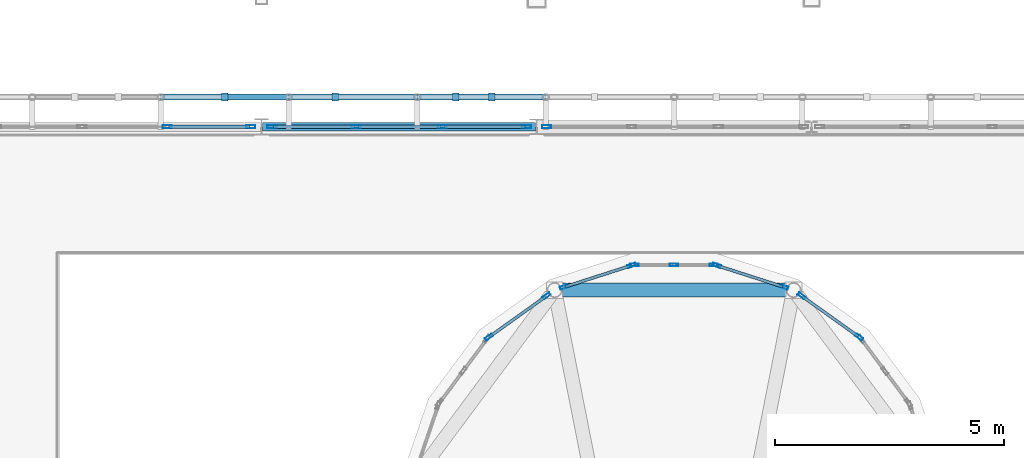
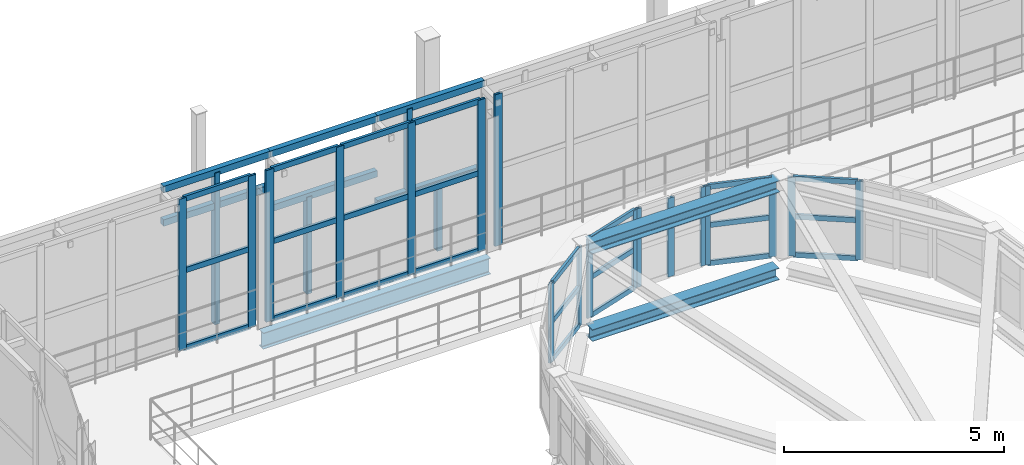
# One storey, part 38 of 78: 52 members, 3 beams, 8 elements without a shape of their own.
"""IFC4 building model written with IfcOpenShell, lengths in metres."""

from ifc_helpers import new_model, si_unit, direction, frame, origin, origin_2d, place, context, subcontext, project, spatial, rectangle, hollow_rectangle, i_section, extrude, material, layer, layer_set, material_profile, profile_set, type_object, element, aggregate, save


model = new_model("IFC4")

# Units and contexts
model_context = context("Model", 3, precision=1e-05, world=origin(), true_north=direction((0.0, 1.0)))
body_context = subcontext(model_context, "Body", "Model", "MODEL_VIEW")
ifc_project = project(units=[si_unit("LENGTHUNIT", "METRE"), si_unit("AREAUNIT", "SQUARE_METRE"), si_unit("VOLUMEUNIT", "CUBIC_METRE"), si_unit("PLANEANGLEUNIT", "RADIAN"), si_unit("MASSUNIT", "GRAM", prefix="KILO")], contexts=[model_context])

# Site, building, storey
site_placement = place(None, origin())
site = spatial("IfcSite", under=ifc_project, at=site_placement, CompositionType="ELEMENT")
building_placement = place(site_placement, origin())
building = spatial("IfcBuilding", under=site, at=building_placement, Name="Vinh Khe Railworks Police Headquarters", CompositionType="ELEMENT")
storey_placement = place(building_placement, frame((0.0, 0.0, 13.199951171875)))
storey = spatial("IfcBuildingStorey", under=building, at=storey_placement, Name="L03", CompositionType="ELEMENT", Elevation=13.199951171875)

# Members
ifc_material_1 = material(Name="Salvaged ironwood timber", Category="wood")
ifc_material_profile_1 = material_profile(ifc_material_1, rectangle(XDim=0.139892578125, YDim=0.179931640625, at=origin_2d()), Name="TIMBER 140x180")
ifc_profile_set_1 = profile_set([ifc_material_profile_1], Name="Salvaged ironwood timber")
member_type_1 = type_object("IfcMemberType", Name="MEM-QUILT-STILE", PredefinedType="CHORD", material=ifc_profile_set_1)
for number, where, z_axis, x_axis, name in (
    (1, (32.0, 59.449951171875, 4.1201171875), (1.0, 0.0, 0.0), (0.0, 1.0, 0.0), "Salvaged Timber Quilt Transom N-L03-02-TOP"),
    (2, (32.0, 59.449951171875, 3.192138671875), (1.0, 0.0, 0.0), (0.0, 1.0, 0.0), "Salvaged Timber Quilt Transom N-L03-02-M1"),
):
    element("IfcMember", number, at=place(storey_placement, frame(where, z_axis=z_axis, x_axis=x_axis)), inside=storey, type_object=member_type_1, Name=name, PredefinedType="CHORD", context=body_context, shape_type="SweptSolid", body=[
        extrude(rectangle(XDim=0.139892578125, YDim=0.179931640625, at=origin_2d()), origin(), (0.0, 0.0, 1.0), 2.800048828125),
    ])
member_1_placement = place(storey_placement, frame((33.39990234375, 59.449951171875, -0.079833984375), z_axis=(0.0, 0.0, 1.0), x_axis=(1.0, 0.0, 0.0)))
element("IfcMember", 3, at=member_1_placement, inside=storey, type_object=member_type_1, Name="Salvaged Timber Quilt Stile N-L03-02-V1", PredefinedType="POST", context=body_context, shape_type="SweptSolid", body=[
    extrude(rectangle(XDim=0.139892578125, YDim=0.179931640625, at=origin_2d()), origin(), (0.0, 0.0, 1.0), 4.199951171875),
])
for number, where, z_axis, x_axis, name in (
    (4, (34.800048828125, 59.449951171875, 4.1201171875), (1.0, 0.0, 0.0), (0.0, 1.0, 0.0), "Salvaged Timber Quilt Transom N-L03-03-TOP"),
    (5, (34.800048828125, 59.449951171875, 2.60400390625), (1.0, 0.0, 0.0), (0.0, 1.0, 0.0), "Salvaged Timber Quilt Transom N-L03-03-M1"),
):
    element("IfcMember", number, at=place(storey_placement, frame(where, z_axis=z_axis, x_axis=x_axis)), inside=storey, type_object=member_type_1, Name=name, PredefinedType="CHORD", context=body_context, shape_type="SweptSolid", body=[
        extrude(rectangle(XDim=0.139892578125, YDim=0.179931640625, at=origin_2d()), origin(), (0.0, 0.0, 1.0), 2.800048828125),
    ])
member_2_placement = place(storey_placement, frame((35.80810546875, 59.449951171875, -0.079833984375), z_axis=(0.0, 0.0, 1.0), x_axis=(1.0, 0.0, 0.0)))
element("IfcMember", 6, at=member_2_placement, inside=storey, type_object=member_type_1, Name="Salvaged Timber Quilt Stile N-L03-03-V1", PredefinedType="POST", context=body_context, shape_type="SweptSolid", body=[
    extrude(rectangle(XDim=0.139892578125, YDim=0.179931640625, at=origin_2d()), origin(), (0.0, 0.0, 1.0), 2.683837890625),
])
for number, where, z_axis, x_axis, name in (
    (7, (37.60009765625, 59.449951171875, 4.1201171875), (1.0, 0.0, 0.0), (0.0, 1.0, 0.0), "Salvaged Timber Quilt Transom N-L03-04-TOP"),
    (8, (37.60009765625, 59.449951171875, 1.76416015625), (1.0, 0.0, 0.0), (0.0, 1.0, 0.0), "Salvaged Timber Quilt Transom N-L03-04-M1"),
):
    element("IfcMember", number, at=place(storey_placement, frame(where, z_axis=z_axis, x_axis=x_axis)), inside=storey, type_object=member_type_1, Name=name, PredefinedType="CHORD", context=body_context, shape_type="SweptSolid", body=[
        extrude(rectangle(XDim=0.139892578125, YDim=0.179931640625, at=origin_2d()), origin(), (0.0, 0.0, 1.0), 2.7998046875),
    ])
member_3_placement = place(storey_placement, frame((39.22412109375, 59.449951171875, -0.079833984375), z_axis=(0.0, 0.0, 1.0), x_axis=(1.0, 0.0, 0.0)))
element("IfcMember", 9, at=member_3_placement, inside=storey, type_object=member_type_1, Name="Salvaged Timber Quilt Stile N-L03-04-V1", PredefinedType="POST", context=body_context, shape_type="SweptSolid", body=[
    extrude(rectangle(XDim=0.139892578125, YDim=0.179931640625, at=origin_2d()), origin(), (0.0, 0.0, 1.0), 1.843994140625),
])
member_4_placement = place(storey_placement, frame((38.43994140625, 59.449951171875, 1.76416015625), z_axis=(0.0, 0.0, 1.0), x_axis=(1.0, 0.0, 0.0)))
element("IfcMember", 10, at=member_4_placement, inside=storey, type_object=member_type_1, Name="Salvaged Timber Quilt Stile N-L03-04-V2", PredefinedType="POST", context=body_context, shape_type="SweptSolid", body=[
    extrude(rectangle(XDim=0.139892578125, YDim=0.179931640625, at=origin_2d()), origin(), (0.0, 0.0, 1.0), 2.35595703125),
])

# Curtain wall, members
ifc_material_2 = material(Name="Anodised aluminium and acoustic laminated glass", Category="aluminium")
ifc_layer_1 = layer(ifc_material_2, 0.159912109375)
ifc_layer_set_1 = layer_set([ifc_layer_1], Name="Anodised aluminium and acoustic laminated glass")
curtain_wall_type_1 = type_object("IfcCurtainWallType", Name="CW-DRUM-CHORD", PredefinedType="USERDEFINED", material=ifc_layer_set_1)
curtain_wall_1_placement = place(storey_placement, origin())
curtain_wall_1 = element("IfcCurtainWall", 11, at=curtain_wall_1_placement, inside=storey, type_object=curtain_wall_type_1, Name="Elliptical Command Drum Glazing L03 Chord 12", ObjectType="DRUM FACADE GLAZING", PredefinedType="USERDEFINED")
ifc_material_3 = material(Name="Anodised aluminium 6063-T6", Category="aluminium")
ifc_material_profile_2 = material_profile(ifc_material_3, hollow_rectangle(XDim=0.06494140625, YDim=0.179931640625, WallThickness=0.0048828125, at=origin_2d()), Name="CW-M 65x180x5")
ifc_profile_set_2 = profile_set([ifc_material_profile_2], Name="Anodised aluminium 6063-T6")
member_type_2 = type_object("IfcMemberType", Name="MULL-CWM-02", PredefinedType="MULLION", material=ifc_profile_set_2)
member_5_placement = place(storey_placement, frame((47.237548828125, 54.21240234375, 0.0), z_axis=(0.0, 0.0, 1.0), x_axis=(-0.581914029649, -0.813250307161, 0.0)))
member_5 = element("IfcMember", 12, at=member_5_placement, type_object=member_type_2, Name="CW-02 mullion 1", PredefinedType="MULLION", context=body_context, shape_type="SweptSolid", body=[
    extrude(hollow_rectangle(XDim=0.06494140625, YDim=0.179931640625, WallThickness=0.0048828125, at=origin_2d()), origin(), (0.0, 0.0, 1.0), 2.179931640625),
])
member_6_placement = place(storey_placement, frame((45.9794921875, 55.11279296875, 0.0), z_axis=(0.0, 0.0, 1.0), x_axis=(-0.581914029649, -0.813250307161, 0.0)))
member_6 = element("IfcMember", 13, at=member_6_placement, type_object=member_type_2, Name="CW-02 mullion 2", PredefinedType="MULLION", context=body_context, shape_type="SweptSolid", body=[
    extrude(hollow_rectangle(XDim=0.06494140625, YDim=0.179931640625, WallThickness=0.0048828125, at=origin_2d()), origin(), (0.0, 0.0, 1.0), 2.179931640625),
])

curtain_wall_2_placement = place(storey_placement, origin())
curtain_wall_2 = element("IfcCurtainWall", 14, at=curtain_wall_2_placement, inside=storey, type_object=curtain_wall_type_1, Name="Elliptical Command Drum Glazing L03 Chord 13", ObjectType="DRUM FACADE GLAZING", PredefinedType="USERDEFINED")
member_7_placement = place(storey_placement, frame((45.600830078125, 55.302978515625, 0.0), z_axis=(0.0, 0.0, 1.0), x_axis=(-0.305579420681, -0.952166591336, 0.0)))
member_7 = element("IfcMember", 15, at=member_7_placement, type_object=member_type_2, Name="CW-02 mullion 1", PredefinedType="MULLION", context=body_context, shape_type="SweptSolid", body=[
    extrude(hollow_rectangle(XDim=0.06494140625, YDim=0.179931640625, WallThickness=0.0048828125, at=origin_2d()), origin(), (0.0, 0.0, 1.0), 2.179931640625),
])
member_8_placement = place(storey_placement, frame((44.1279296875, 55.775634765625, 0.0), z_axis=(0.0, 0.0, 1.0), x_axis=(-0.305579420681, -0.952166591336, 0.0)))
member_8 = element("IfcMember", 16, at=member_8_placement, type_object=member_type_2, Name="CW-02 mullion 2", PredefinedType="MULLION", context=body_context, shape_type="SweptSolid", body=[
    extrude(hollow_rectangle(XDim=0.06494140625, YDim=0.179931640625, WallThickness=0.0048828125, at=origin_2d()), origin(), (0.0, 0.0, 1.0), 2.179931640625),
])

curtain_wall_3_placement = place(storey_placement, origin())
curtain_wall_3 = element("IfcCurtainWall", 17, at=curtain_wall_3_placement, inside=storey, type_object=curtain_wall_type_1, Name="Elliptical Command Drum Glazing L03 Chord 14", ObjectType="DRUM FACADE GLAZING", PredefinedType="USERDEFINED")
member_9_placement = place(storey_placement, frame((44.064453125, 55.78564453125, 0.0), z_axis=(0.0, 0.0, 1.0), x_axis=(0.0, -1.0, 0.0)))
member_9 = element("IfcMember", 18, at=member_9_placement, type_object=member_type_2, Name="CW-02 mullion 1", PredefinedType="MULLION", context=body_context, shape_type="SweptSolid", body=[
    extrude(hollow_rectangle(XDim=0.06494140625, YDim=0.179931640625, WallThickness=0.0048828125, at=origin_2d()), origin(), (0.0, 0.0, 1.0), 2.179931640625),
])
member_10_placement = place(storey_placement, frame((43.199951171875, 55.78564453125, 0.0), z_axis=(0.0, 0.0, 1.0), x_axis=(0.0, -1.0, 0.0)))
member_10 = element("IfcMember", 19, at=member_10_placement, type_object=member_type_2, Name="CW-02 mullion 2", PredefinedType="MULLION", context=body_context, shape_type="SweptSolid", body=[
    extrude(hollow_rectangle(XDim=0.06494140625, YDim=0.179931640625, WallThickness=0.0048828125, at=origin_2d()), origin(), (0.0, 0.0, 1.0), 2.179931640625),
])
member_11_placement = place(storey_placement, frame((42.33544921875, 55.78564453125, 0.0), z_axis=(0.0, 0.0, 1.0), x_axis=(0.0, -1.0, 0.0)))
member_11 = element("IfcMember", 20, at=member_11_placement, type_object=member_type_2, Name="CW-02 mullion 3", PredefinedType="MULLION", context=body_context, shape_type="SweptSolid", body=[
    extrude(hollow_rectangle(XDim=0.06494140625, YDim=0.179931640625, WallThickness=0.0048828125, at=origin_2d()), origin(), (0.0, 0.0, 1.0), 2.179931640625),
])
aggregate(curtain_wall_3, [member_9, member_10, member_11])

curtain_wall_4_placement = place(storey_placement, origin())
curtain_wall_4 = element("IfcCurtainWall", 21, at=curtain_wall_4_placement, inside=storey, type_object=curtain_wall_type_1, Name="Elliptical Command Drum Glazing L03 Chord 15", ObjectType="DRUM FACADE GLAZING", PredefinedType="USERDEFINED")
member_12_placement = place(storey_placement, frame((42.27197265625, 55.775634765625, 0.0), z_axis=(0.0, 0.0, 1.0), x_axis=(0.305579420681, -0.952166591336, 0.0)))
member_12 = element("IfcMember", 22, at=member_12_placement, type_object=member_type_2, Name="CW-02 mullion 1", PredefinedType="MULLION", context=body_context, shape_type="SweptSolid", body=[
    extrude(hollow_rectangle(XDim=0.06494140625, YDim=0.179931640625, WallThickness=0.0048828125, at=origin_2d()), origin(), (0.0, 0.0, 1.0), 2.179931640625),
])
member_13_placement = place(storey_placement, frame((40.799072265625, 55.302978515625, 0.0), z_axis=(0.0, 0.0, 1.0), x_axis=(0.305579420681, -0.952166591336, 0.0)))
member_13 = element("IfcMember", 23, at=member_13_placement, type_object=member_type_2, Name="CW-02 mullion 2", PredefinedType="MULLION", context=body_context, shape_type="SweptSolid", body=[
    extrude(hollow_rectangle(XDim=0.06494140625, YDim=0.179931640625, WallThickness=0.0048828125, at=origin_2d()), origin(), (0.0, 0.0, 1.0), 2.179931640625),
])

curtain_wall_5_placement = place(storey_placement, origin())
curtain_wall_5 = element("IfcCurtainWall", 24, at=curtain_wall_5_placement, inside=storey, type_object=curtain_wall_type_1, Name="Elliptical Command Drum Glazing L03 Chord 16", ObjectType="DRUM FACADE GLAZING", PredefinedType="USERDEFINED")
member_14_placement = place(storey_placement, frame((40.42041015625, 55.11279296875, 0.0), z_axis=(0.0, 0.0, 1.0), x_axis=(0.581914029649, -0.813250307161, 0.0)))
member_14 = element("IfcMember", 25, at=member_14_placement, type_object=member_type_2, Name="CW-02 mullion 1", PredefinedType="MULLION", context=body_context, shape_type="SweptSolid", body=[
    extrude(hollow_rectangle(XDim=0.06494140625, YDim=0.179931640625, WallThickness=0.0048828125, at=origin_2d()), origin(), (0.0, 0.0, 1.0), 2.179931640625),
])
member_15_placement = place(storey_placement, frame((39.162353515625, 54.21240234375, 0.0), z_axis=(0.0, 0.0, 1.0), x_axis=(0.581914029649, -0.813250307161, 0.0)))
member_15 = element("IfcMember", 26, at=member_15_placement, type_object=member_type_2, Name="CW-02 mullion 2", PredefinedType="MULLION", context=body_context, shape_type="SweptSolid", body=[
    extrude(hollow_rectangle(XDim=0.06494140625, YDim=0.179931640625, WallThickness=0.0048828125, at=origin_2d()), origin(), (0.0, 0.0, 1.0), 2.179931640625),
])

ifc_material_4 = material(Name="Anodised aluminium and low-iron glass", Category="aluminium")
ifc_layer_2 = layer(ifc_material_4, 0.179931640625)
ifc_layer_set_2 = layer_set([ifc_layer_2], Name="Anodised aluminium and low-iron glass")
curtain_wall_type_2 = type_object("IfcCurtainWallType", Name="CW-CUBE-UNIT", PredefinedType="USERDEFINED", material=ifc_layer_set_2)
curtain_wall_6_placement = place(storey_placement, origin())
curtain_wall_6 = element("IfcCurtainWall", 27, at=curtain_wall_6_placement, inside=storey, type_object=curtain_wall_type_2, Name="Entrance Hall Curtain Wall L03 N-1", ObjectType="UNITISED GLAZING", PredefinedType="USERDEFINED")
ifc_material_profile_3 = material_profile(ifc_material_3, hollow_rectangle(XDim=0.070068359375, YDim=0.199951171875, WallThickness=0.0048828125, at=origin_2d()), Name="CW-M 70x200x5")
ifc_profile_set_3 = profile_set([ifc_material_profile_3], Name="Anodised aluminium 6063-T6")
member_type_3 = type_object("IfcMemberType", Name="MULL-CWM-03", PredefinedType="MULLION", material=ifc_profile_set_3)
member_16_placement = place(storey_placement, frame((32.146240234375, 58.800048828125, 0.0), z_axis=(0.0, 0.0, 1.0), x_axis=(0.0, 1.0, 0.0)))
member_16 = element("IfcMember", 28, at=member_16_placement, type_object=member_type_3, Name="CW-01 mullion 4", PredefinedType="MULLION", context=body_context, shape_type="SweptSolid", body=[
    extrude(hollow_rectangle(XDim=0.070068359375, YDim=0.199951171875, WallThickness=0.0048828125, at=origin_2d()), origin(), (0.0, 0.0, 1.0), 4.199951171875),
])
member_17_placement = place(storey_placement, frame((33.969970703125, 58.800048828125, 0.0), z_axis=(0.0, 0.0, 1.0), x_axis=(0.0, 1.0, 0.0)))
member_17 = element("IfcMember", 29, at=member_17_placement, type_object=member_type_3, Name="CW-01 mullion 5", PredefinedType="MULLION", context=body_context, shape_type="SweptSolid", body=[
    extrude(hollow_rectangle(XDim=0.070068359375, YDim=0.199951171875, WallThickness=0.0048828125, at=origin_2d()), origin(), (0.0, 0.0, 1.0), 4.199951171875),
])

curtain_wall_7_placement = place(storey_placement, origin())
curtain_wall_7 = element("IfcCurtainWall", 30, at=curtain_wall_7_placement, inside=storey, type_object=curtain_wall_type_2, Name="Entrance Hall Curtain Wall L03 N-2", ObjectType="UNITISED GLAZING", PredefinedType="USERDEFINED")
member_18_placement = place(storey_placement, frame((34.429931640625, 58.800048828125, 0.0), z_axis=(0.0, 0.0, 1.0), x_axis=(0.0, 1.0, 0.0)))
member_18 = element("IfcMember", 31, at=member_18_placement, type_object=member_type_3, Name="CW-01 mullion 1", PredefinedType="MULLION", context=body_context, shape_type="SweptSolid", body=[
    extrude(hollow_rectangle(XDim=0.070068359375, YDim=0.199951171875, WallThickness=0.0048828125, at=origin_2d()), origin(), (0.0, 0.0, 1.0), 4.199951171875),
])
member_19_placement = place(storey_placement, frame((36.268310546875, 58.800048828125, 0.0), z_axis=(0.0, 0.0, 1.0), x_axis=(0.0, 1.0, 0.0)))
member_19 = element("IfcMember", 32, at=member_19_placement, type_object=member_type_3, Name="CW-01 mullion 2", PredefinedType="MULLION", context=body_context, shape_type="SweptSolid", body=[
    extrude(hollow_rectangle(XDim=0.070068359375, YDim=0.199951171875, WallThickness=0.0048828125, at=origin_2d()), origin(), (0.0, 0.0, 1.0), 4.199951171875),
])
member_20_placement = place(storey_placement, frame((38.1416015625, 58.800048828125, 0.0), z_axis=(0.0, 0.0, 1.0), x_axis=(0.0, 1.0, 0.0)))
member_20 = element("IfcMember", 33, at=member_20_placement, type_object=member_type_3, Name="CW-01 mullion 3", PredefinedType="MULLION", context=body_context, shape_type="SweptSolid", body=[
    extrude(hollow_rectangle(XDim=0.070068359375, YDim=0.199951171875, WallThickness=0.0048828125, at=origin_2d()), origin(), (0.0, 0.0, 1.0), 4.199951171875),
])
member_21_placement = place(storey_placement, frame((39.97998046875, 58.800048828125, 0.0), z_axis=(0.0, 0.0, 1.0), x_axis=(0.0, 1.0, 0.0)))
member_21 = element("IfcMember", 34, at=member_21_placement, type_object=member_type_3, Name="CW-01 mullion 4", PredefinedType="MULLION", context=body_context, shape_type="SweptSolid", body=[
    extrude(hollow_rectangle(XDim=0.070068359375, YDim=0.199951171875, WallThickness=0.0048828125, at=origin_2d()), origin(), (0.0, 0.0, 1.0), 4.199951171875),
])

# Curtain wall, member
curtain_wall_8_placement = place(storey_placement, origin())
curtain_wall_8 = element("IfcCurtainWall", 35, at=curtain_wall_8_placement, inside=storey, type_object=curtain_wall_type_2, Name="Entrance Hall Curtain Wall L03 N-3", ObjectType="UNITISED GLAZING", PredefinedType="USERDEFINED")
member_22_placement = place(storey_placement, frame((40.419921875, 58.800048828125, 0.0), z_axis=(0.0, 0.0, 1.0), x_axis=(0.0, 1.0, 0.0)))
member_22 = element("IfcMember", 36, at=member_22_placement, type_object=member_type_3, Name="CW-01 mullion 1", PredefinedType="MULLION", context=body_context, shape_type="SweptSolid", body=[
    extrude(hollow_rectangle(XDim=0.070068359375, YDim=0.199951171875, WallThickness=0.0048828125, at=origin_2d()), origin(), (0.0, 0.0, 1.0), 4.199951171875),
])
aggregate(curtain_wall_8, [member_22])

# Beams
ifc_material_5 = material(Name="Steel S355JR", Category="steel")
ifc_material_profile_4 = material_profile(ifc_material_5, i_section(OverallWidth=0.300048828125, OverallDepth=0.330078125, WebThickness=0.009521484375, FlangeThickness=0.0166015625, FilletRadius=0.027099609375, at=origin_2d()), Name="HEA 340")
ifc_profile_set_4 = profile_set([ifc_material_profile_4], Name="Steel S355JR")
beam_type_1 = type_object("IfcBeamType", Name="Steel Girder HEA 340", PredefinedType="BEAM", material=ifc_profile_set_4)
beam_1_placement = place(storey_placement, frame((45.647216796875, 55.237548828125, -0.385009765625), z_axis=(-1.0, 0.0, 0.0), x_axis=(0.0, -1.0, 0.0)))
element("IfcBeam", 37, at=beam_1_placement, inside=storey, type_object=beam_type_1, Name="Drum Ring Girder BM-L03-DRUM-SB-16-1280", PredefinedType="BEAM", context=body_context, shape_type="SweptSolid", body=[
    extrude(i_section(OverallWidth=0.300048828125, OverallDepth=0.330078125, WebThickness=0.009521484375, FlangeThickness=0.0166015625, FilletRadius=0.027099609375, at=origin_2d()), origin(), (0.0, 0.0, 1.0), 4.89453125),
])
beam_2_placement = place(storey_placement, frame((45.6630859375, 55.237548828125, 2.03515625), z_axis=(-1.0, 0.0, 0.0), x_axis=(0.0, -1.0, 0.0)))
element("IfcBeam", 38, at=beam_2_placement, inside=storey, type_object=beam_type_1, Name="Drum Ring Girder BM-L03-DRUM-SB-16-1486", PredefinedType="BEAM", context=body_context, shape_type="SweptSolid", body=[
    extrude(i_section(OverallWidth=0.300048828125, OverallDepth=0.330078125, WebThickness=0.009521484375, FlangeThickness=0.0166015625, FilletRadius=0.027099609375, at=origin_2d()), origin(), (0.0, 0.0, 1.0), 4.92626953125),
])
ifc_material_profile_5 = material_profile(ifc_material_5, i_section(OverallWidth=0.18994140625, OverallDepth=0.449951171875, WebThickness=0.009521484375, FlangeThickness=0.0146484375, FilletRadius=0.02099609375, at=origin_2d()), Name="IPE 450")
ifc_profile_set_5 = profile_set([ifc_material_profile_5], Name="Steel S355JR")
beam_type_2 = type_object("IfcBeamType", Name="Steel Girder IPE 450", PredefinedType="BEAM", material=ifc_profile_set_5)
beam_3_placement = place(storey_placement, frame((34.219970703125, 58.800048828125, -0.445068359375), z_axis=(1.0, 0.0, 0.0), x_axis=(0.0, 1.0, 0.0)))
element("IfcBeam", 39, at=beam_3_placement, inside=storey, type_object=beam_type_2, Name="Girder BM-L03-EW-SB-20-1062", PredefinedType="BEAM", context=body_context, shape_type="SweptSolid", body=[
    extrude(i_section(OverallWidth=0.18994140625, OverallDepth=0.449951171875, WebThickness=0.009521484375, FlangeThickness=0.0146484375, FilletRadius=0.02099609375, at=origin_2d()), origin(), (0.0, 0.0, 1.0), 5.9599609375),
])

# Member
ifc_material_profile_6 = material_profile(ifc_material_3, hollow_rectangle(XDim=0.06494140625, YDim=0.139892578125, WallThickness=0.00390625, at=origin_2d()), Name="CW-T 65x140x4")
ifc_profile_set_6 = profile_set([ifc_material_profile_6], Name="Anodised aluminium 6063-T6")
member_type_4 = type_object("IfcMemberType", Name="TRAN-CWT-02", PredefinedType="USERDEFINED", material=ifc_profile_set_6)
member_23_placement = place(storey_placement, frame((47.211181640625, 54.2314453125, 0.032470703125), z_axis=(-0.813299143966, 0.581845772025, 0.0), x_axis=(-0.581845772025, -0.813299143966, 0.0)))
member_23 = element("IfcMember", 40, at=member_23_placement, type_object=member_type_4, Name="CW-02 transom 1.1", ObjectType="TRANSOM", PredefinedType="USERDEFINED", context=body_context, shape_type="SweptSolid", body=[
    extrude(hollow_rectangle(XDim=0.06494140625, YDim=0.139892578125, WallThickness=0.00390625, at=origin_2d()), origin(), (0.0, 0.0, 1.0), 1.48193359375),
])

member_24_placement = place(storey_placement, frame((47.211181640625, 54.2314453125, 1.090087890625), z_axis=(-0.813299143966, 0.581845772025, 0.0), x_axis=(-0.581845772025, -0.813299143966, 0.0)))
member_24 = element("IfcMember", 41, at=member_24_placement, type_object=member_type_4, Name="CW-02 transom 1.2", ObjectType="TRANSOM", PredefinedType="USERDEFINED", context=body_context, shape_type="SweptSolid", body=[
    extrude(hollow_rectangle(XDim=0.06494140625, YDim=0.139892578125, WallThickness=0.00390625, at=origin_2d()), origin(), (0.0, 0.0, 1.0), 1.48193359375),
])

member_25_placement = place(storey_placement, frame((47.211181640625, 54.2314453125, 2.1474609375), z_axis=(-0.813299143966, 0.581845772025, 0.0), x_axis=(-0.581845772025, -0.813299143966, 0.0)))
member_25 = element("IfcMember", 42, at=member_25_placement, type_object=member_type_4, Name="CW-02 transom 1.3", ObjectType="TRANSOM", PredefinedType="USERDEFINED", context=body_context, shape_type="SweptSolid", body=[
    extrude(hollow_rectangle(XDim=0.06494140625, YDim=0.139892578125, WallThickness=0.00390625, at=origin_2d()), origin(), (0.0, 0.0, 1.0), 1.48193359375),
])

aggregate(curtain_wall_1, [member_5, member_6, member_23, member_24, member_25])

member_26_placement = place(storey_placement, frame((45.570068359375, 55.31298828125, 0.032470703125), z_axis=(-0.95216558578, 0.305582553914, 0.0), x_axis=(-0.305582553914, -0.95216558578, 0.0)))
member_26 = element("IfcMember", 43, at=member_26_placement, type_object=member_type_4, Name="CW-02 transom 1.1", ObjectType="TRANSOM", PredefinedType="USERDEFINED", context=body_context, shape_type="SweptSolid", body=[
    extrude(hollow_rectangle(XDim=0.06494140625, YDim=0.139892578125, WallThickness=0.00390625, at=origin_2d()), origin(), (0.0, 0.0, 1.0), 1.48193359375),
])

member_27_placement = place(storey_placement, frame((45.570068359375, 55.31298828125, 1.090087890625), z_axis=(-0.95216558578, 0.305582553914, 0.0), x_axis=(-0.305582553914, -0.95216558578, 0.0)))
member_27 = element("IfcMember", 44, at=member_27_placement, type_object=member_type_4, Name="CW-02 transom 1.2", ObjectType="TRANSOM", PredefinedType="USERDEFINED", context=body_context, shape_type="SweptSolid", body=[
    extrude(hollow_rectangle(XDim=0.06494140625, YDim=0.139892578125, WallThickness=0.00390625, at=origin_2d()), origin(), (0.0, 0.0, 1.0), 1.48193359375),
])

member_28_placement = place(storey_placement, frame((45.570068359375, 55.31298828125, 2.1474609375), z_axis=(-0.95216558578, 0.305582553914, 0.0), x_axis=(-0.305582553914, -0.95216558578, 0.0)))
member_28 = element("IfcMember", 45, at=member_28_placement, type_object=member_type_4, Name="CW-02 transom 1.3", ObjectType="TRANSOM", PredefinedType="USERDEFINED", context=body_context, shape_type="SweptSolid", body=[
    extrude(hollow_rectangle(XDim=0.06494140625, YDim=0.139892578125, WallThickness=0.00390625, at=origin_2d()), origin(), (0.0, 0.0, 1.0), 1.48193359375),
])

aggregate(curtain_wall_2, [member_7, member_8, member_26, member_27, member_28])

member_29_placement = place(storey_placement, frame((42.2412109375, 55.765869140625, 0.032470703125), z_axis=(-0.95216558578, -0.305582553914, 0.0), x_axis=(0.305582553914, -0.95216558578, 0.0)))
member_29 = element("IfcMember", 46, at=member_29_placement, type_object=member_type_4, Name="CW-02 transom 1.1", ObjectType="TRANSOM", PredefinedType="USERDEFINED", context=body_context, shape_type="SweptSolid", body=[
    extrude(hollow_rectangle(XDim=0.06494140625, YDim=0.139892578125, WallThickness=0.00390625, at=origin_2d()), origin(), (0.0, 0.0, 1.0), 1.48193359375),
])

member_30_placement = place(storey_placement, frame((42.2412109375, 55.765869140625, 1.090087890625), z_axis=(-0.95216558578, -0.305582553914, 0.0), x_axis=(0.305582553914, -0.95216558578, 0.0)))
member_30 = element("IfcMember", 47, at=member_30_placement, type_object=member_type_4, Name="CW-02 transom 1.2", ObjectType="TRANSOM", PredefinedType="USERDEFINED", context=body_context, shape_type="SweptSolid", body=[
    extrude(hollow_rectangle(XDim=0.06494140625, YDim=0.139892578125, WallThickness=0.00390625, at=origin_2d()), origin(), (0.0, 0.0, 1.0), 1.48193359375),
])

member_31_placement = place(storey_placement, frame((42.2412109375, 55.765869140625, 2.1474609375), z_axis=(-0.95216558578, -0.305582553914, 0.0), x_axis=(0.305582553914, -0.95216558578, 0.0)))
member_31 = element("IfcMember", 48, at=member_31_placement, type_object=member_type_4, Name="CW-02 transom 1.3", ObjectType="TRANSOM", PredefinedType="USERDEFINED", context=body_context, shape_type="SweptSolid", body=[
    extrude(hollow_rectangle(XDim=0.06494140625, YDim=0.139892578125, WallThickness=0.00390625, at=origin_2d()), origin(), (0.0, 0.0, 1.0), 1.48193359375),
])

aggregate(curtain_wall_4, [member_12, member_13, member_29, member_30, member_31])

member_32_placement = place(storey_placement, frame((40.39404296875, 55.09375, 0.032470703125), z_axis=(-0.81324336246, -0.58192373505, 0.0), x_axis=(0.58192373505, -0.81324336246, 0.0)))
member_32 = element("IfcMember", 49, at=member_32_placement, type_object=member_type_4, Name="CW-02 transom 1.1", ObjectType="TRANSOM", PredefinedType="USERDEFINED", context=body_context, shape_type="SweptSolid", body=[
    extrude(hollow_rectangle(XDim=0.06494140625, YDim=0.139892578125, WallThickness=0.00390625, at=origin_2d()), origin(), (0.0, 0.0, 1.0), 1.48193359375),
])

member_33_placement = place(storey_placement, frame((40.39404296875, 55.09375, 1.090087890625), z_axis=(-0.81324336246, -0.58192373505, 0.0), x_axis=(0.58192373505, -0.81324336246, 0.0)))
member_33 = element("IfcMember", 50, at=member_33_placement, type_object=member_type_4, Name="CW-02 transom 1.2", ObjectType="TRANSOM", PredefinedType="USERDEFINED", context=body_context, shape_type="SweptSolid", body=[
    extrude(hollow_rectangle(XDim=0.06494140625, YDim=0.139892578125, WallThickness=0.00390625, at=origin_2d()), origin(), (0.0, 0.0, 1.0), 1.48193359375),
])

member_34_placement = place(storey_placement, frame((40.39404296875, 55.09375, 2.1474609375), z_axis=(-0.81324336246, -0.58192373505, 0.0), x_axis=(0.58192373505, -0.81324336246, 0.0)))
member_34 = element("IfcMember", 51, at=member_34_placement, type_object=member_type_4, Name="CW-02 transom 1.3", ObjectType="TRANSOM", PredefinedType="USERDEFINED", context=body_context, shape_type="SweptSolid", body=[
    extrude(hollow_rectangle(XDim=0.06494140625, YDim=0.139892578125, WallThickness=0.00390625, at=origin_2d()), origin(), (0.0, 0.0, 1.0), 1.48193359375),
])

aggregate(curtain_wall_5, [member_14, member_15, member_32, member_33, member_34])

ifc_material_profile_7 = material_profile(ifc_material_3, hollow_rectangle(XDim=0.070068359375, YDim=0.14990234375, WallThickness=0.0048828125, at=origin_2d()), Name="CW-T 70x150x5")
ifc_profile_set_7 = profile_set([ifc_material_profile_7], Name="Anodised aluminium 6063-T6")
member_type_5 = type_object("IfcMemberType", Name="TRAN-CWT-03", PredefinedType="USERDEFINED", material=ifc_profile_set_7)
member_35_placement = place(storey_placement, frame((32.18115234375, 58.800048828125, 0.03515625), z_axis=(1.0, 0.0, 0.0), x_axis=(0.0, 1.0, 0.0)))
member_35 = element("IfcMember", 52, at=member_35_placement, type_object=member_type_5, Name="CW-01 transom 4.1", ObjectType="TRANSOM", PredefinedType="USERDEFINED", context=body_context, shape_type="SweptSolid", body=[
    extrude(hollow_rectangle(XDim=0.070068359375, YDim=0.14990234375, WallThickness=0.0048828125, at=origin_2d()), origin(), (0.0, 0.0, 1.0), 1.75390625),
])

member_36_placement = place(storey_placement, frame((32.18115234375, 58.800048828125, 2.18408203125), z_axis=(1.0, 0.0, 0.0), x_axis=(0.0, 1.0, 0.0)))
member_36 = element("IfcMember", 53, at=member_36_placement, type_object=member_type_5, Name="CW-01 transom 4.2", ObjectType="TRANSOM", PredefinedType="USERDEFINED", context=body_context, shape_type="SweptSolid", body=[
    extrude(hollow_rectangle(XDim=0.070068359375, YDim=0.14990234375, WallThickness=0.0048828125, at=origin_2d()), origin(), (0.0, 0.0, 1.0), 1.75390625),
])

member_37_placement = place(storey_placement, frame((32.18115234375, 58.800048828125, 4.1650390625), z_axis=(1.0, 0.0, 0.0), x_axis=(0.0, 1.0, 0.0)))
member_37 = element("IfcMember", 54, at=member_37_placement, type_object=member_type_5, Name="CW-01 transom 4.3", ObjectType="TRANSOM", PredefinedType="USERDEFINED", context=body_context, shape_type="SweptSolid", body=[
    extrude(hollow_rectangle(XDim=0.070068359375, YDim=0.14990234375, WallThickness=0.0048828125, at=origin_2d()), origin(), (0.0, 0.0, 1.0), 1.75390625),
])

aggregate(curtain_wall_6, [member_16, member_17, member_35, member_36, member_37])

member_38_placement = place(storey_placement, frame((34.465087890625, 58.800048828125, 0.03515625), z_axis=(1.0, 0.0, 0.0), x_axis=(0.0, 1.0, 0.0)))
member_38 = element("IfcMember", 55, at=member_38_placement, type_object=member_type_5, Name="CW-01 transom 1.1", ObjectType="TRANSOM", PredefinedType="USERDEFINED", context=body_context, shape_type="SweptSolid", body=[
    extrude(hollow_rectangle(XDim=0.070068359375, YDim=0.14990234375, WallThickness=0.0048828125, at=origin_2d()), origin(), (0.0, 0.0, 1.0), 1.768310546875),
])

member_39_placement = place(storey_placement, frame((34.465087890625, 58.800048828125, 2.18408203125), z_axis=(1.0, 0.0, 0.0), x_axis=(0.0, 1.0, 0.0)))
member_39 = element("IfcMember", 56, at=member_39_placement, type_object=member_type_5, Name="CW-01 transom 1.2", ObjectType="TRANSOM", PredefinedType="USERDEFINED", context=body_context, shape_type="SweptSolid", body=[
    extrude(hollow_rectangle(XDim=0.070068359375, YDim=0.14990234375, WallThickness=0.0048828125, at=origin_2d()), origin(), (0.0, 0.0, 1.0), 1.768310546875),
])

member_40_placement = place(storey_placement, frame((34.465087890625, 58.800048828125, 4.1650390625), z_axis=(1.0, 0.0, 0.0), x_axis=(0.0, 1.0, 0.0)))
member_40 = element("IfcMember", 57, at=member_40_placement, type_object=member_type_5, Name="CW-01 transom 1.3", ObjectType="TRANSOM", PredefinedType="USERDEFINED", context=body_context, shape_type="SweptSolid", body=[
    extrude(hollow_rectangle(XDim=0.070068359375, YDim=0.14990234375, WallThickness=0.0048828125, at=origin_2d()), origin(), (0.0, 0.0, 1.0), 1.768310546875),
])

member_41_placement = place(storey_placement, frame((36.30322265625, 58.800048828125, 0.03515625), z_axis=(1.0, 0.0, 0.0), x_axis=(0.0, 1.0, 0.0)))
member_41 = element("IfcMember", 58, at=member_41_placement, type_object=member_type_5, Name="CW-01 transom 2.1", ObjectType="TRANSOM", PredefinedType="USERDEFINED", context=body_context, shape_type="SweptSolid", body=[
    extrude(hollow_rectangle(XDim=0.070068359375, YDim=0.14990234375, WallThickness=0.0048828125, at=origin_2d()), origin(), (0.0, 0.0, 1.0), 1.803466796875),
])

member_42_placement = place(storey_placement, frame((36.30322265625, 58.800048828125, 2.18408203125), z_axis=(1.0, 0.0, 0.0), x_axis=(0.0, 1.0, 0.0)))
member_42 = element("IfcMember", 59, at=member_42_placement, type_object=member_type_5, Name="CW-01 transom 2.2", ObjectType="TRANSOM", PredefinedType="USERDEFINED", context=body_context, shape_type="SweptSolid", body=[
    extrude(hollow_rectangle(XDim=0.070068359375, YDim=0.14990234375, WallThickness=0.0048828125, at=origin_2d()), origin(), (0.0, 0.0, 1.0), 1.803466796875),
])

member_43_placement = place(storey_placement, frame((36.30322265625, 58.800048828125, 4.1650390625), z_axis=(1.0, 0.0, 0.0), x_axis=(0.0, 1.0, 0.0)))
member_43 = element("IfcMember", 60, at=member_43_placement, type_object=member_type_5, Name="CW-01 transom 2.3", ObjectType="TRANSOM", PredefinedType="USERDEFINED", context=body_context, shape_type="SweptSolid", body=[
    extrude(hollow_rectangle(XDim=0.070068359375, YDim=0.14990234375, WallThickness=0.0048828125, at=origin_2d()), origin(), (0.0, 0.0, 1.0), 1.803466796875),
])

member_44_placement = place(storey_placement, frame((38.1767578125, 58.800048828125, 0.03515625), z_axis=(1.0, 0.0, 0.0), x_axis=(0.0, 1.0, 0.0)))
member_44 = element("IfcMember", 61, at=member_44_placement, type_object=member_type_5, Name="CW-01 transom 3.1", ObjectType="TRANSOM", PredefinedType="USERDEFINED", context=body_context, shape_type="SweptSolid", body=[
    extrude(hollow_rectangle(XDim=0.070068359375, YDim=0.14990234375, WallThickness=0.0048828125, at=origin_2d()), origin(), (0.0, 0.0, 1.0), 1.768310546875),
])

member_45_placement = place(storey_placement, frame((38.1767578125, 58.800048828125, 2.18408203125), z_axis=(1.0, 0.0, 0.0), x_axis=(0.0, 1.0, 0.0)))
member_45 = element("IfcMember", 62, at=member_45_placement, type_object=member_type_5, Name="CW-01 transom 3.2", ObjectType="TRANSOM", PredefinedType="USERDEFINED", context=body_context, shape_type="SweptSolid", body=[
    extrude(hollow_rectangle(XDim=0.070068359375, YDim=0.14990234375, WallThickness=0.0048828125, at=origin_2d()), origin(), (0.0, 0.0, 1.0), 1.768310546875),
])

member_46_placement = place(storey_placement, frame((38.1767578125, 58.800048828125, 4.1650390625), z_axis=(1.0, 0.0, 0.0), x_axis=(0.0, 1.0, 0.0)))
member_46 = element("IfcMember", 63, at=member_46_placement, type_object=member_type_5, Name="CW-01 transom 3.3", ObjectType="TRANSOM", PredefinedType="USERDEFINED", context=body_context, shape_type="SweptSolid", body=[
    extrude(hollow_rectangle(XDim=0.070068359375, YDim=0.14990234375, WallThickness=0.0048828125, at=origin_2d()), origin(), (0.0, 0.0, 1.0), 1.768310546875),
])

aggregate(curtain_wall_7, [member_18, member_19, member_20, member_21, member_38, member_39, member_40, member_41, member_42, member_43, member_44, member_45, member_46])

save(model, "model.ifc")
